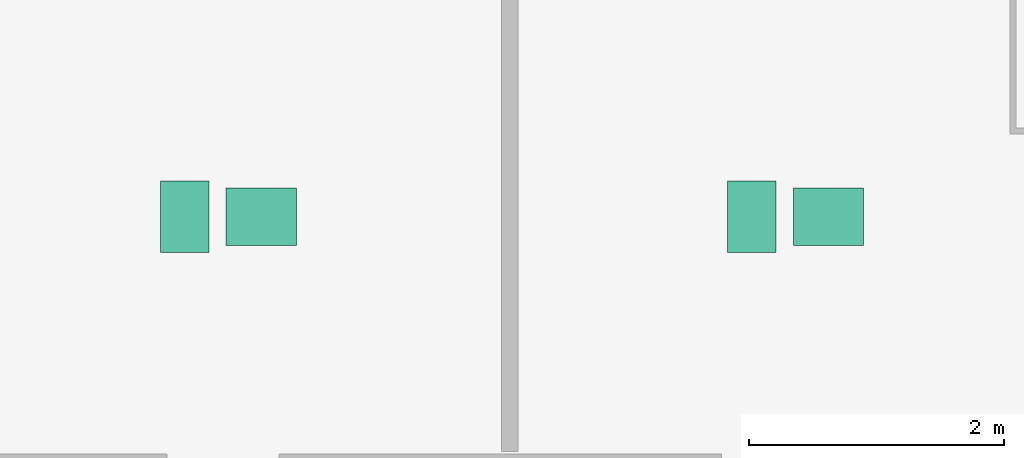
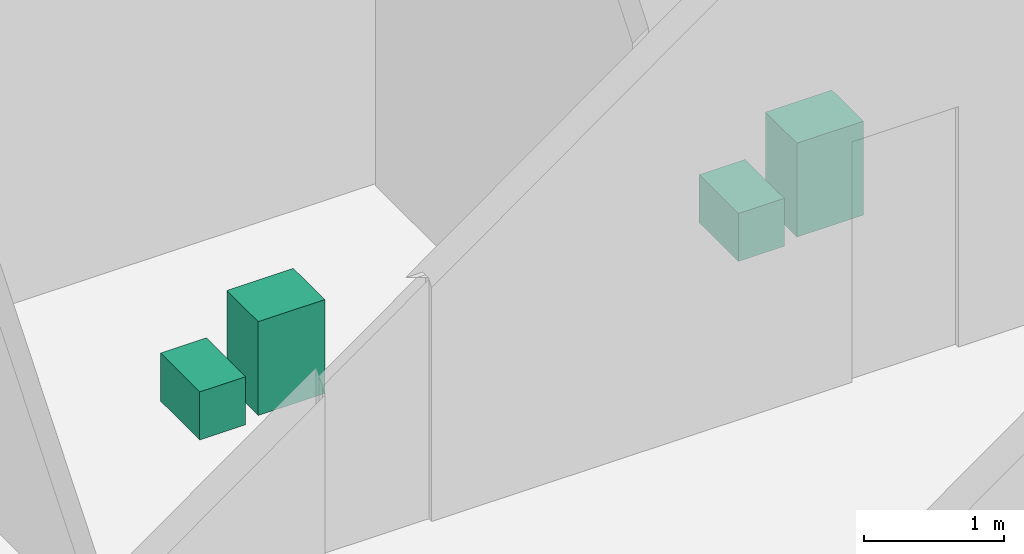
# One storey, part 23 of 23: 4 sanitary terminals.
"""IFC4 building model written with IfcOpenShell, lengths in metres."""

import ifcopenshell
import ifcopenshell.guid

model = None  # the IFC model being written
_history = None  # IfcOwnerHistory: only IFC2X3 demands one
_inside = {}  # id of a spatial element -> (the spatial element, [elements in it])
_under = {}  # id of a project, library or spatial element -> (it, [spatial elements below it])
_declared = {}  # id of a project -> (the project, [libraries it declares])
_typed = {}  # id of a type object -> (the type object, [elements of that type])
_made_of = {}  # id of a material, layer set ... -> (it, [elements and type objects made of it])


def new_model(schema):
    """Start an empty IFC model of exactly this schema.

    Asked for "IFC4X3", IfcOpenShell would pick the latest addendum, in which some entities
    have other attributes; the version numbers below select the first issue.
    IFC2X3 requires an IfcOwnerHistory on every rooted entity: one is made here for all.
    """
    global model, _history
    if schema == "IFC4X3":
        model = ifcopenshell.file(schema_version=(4, 3, 0, 0))
    else:
        model = ifcopenshell.file(schema=schema)
    _inside.clear()
    _under.clear()
    _declared.clear()
    _typed.clear()
    _made_of.clear()
    _history = None
    if model.schema == "IFC2X3":
        org = make("IfcOrganization", Name="unknown")
        user = make(
            "IfcPersonAndOrganization",
            ThePerson=make("IfcPerson", FamilyName="unknown"),
            TheOrganization=org,
        )
        app = make(
            "IfcApplication",
            ApplicationDeveloper=org,
            Version="unknown",
            ApplicationFullName="unknown",
            ApplicationIdentifier="unknown",
        )
        _history = make(
            "IfcOwnerHistory",
            OwningUser=user,
            OwningApplication=app,
            ChangeAction="ADDED",
            CreationDate=0,
        )
    return model


def make(cls, **values):
    """One entity of the class cls with the attributes given. An attribute that is None is left unset."""
    return model.create_entity(
        cls, **{name: value for name, value in values.items() if value is not None}
    )


def rooted(cls, **values):
    """An entity with a GlobalId (a new one), such as an element, a storey or a relation."""
    return make(cls, GlobalId=ifcopenshell.guid.new(), OwnerHistory=_history, **values)


def si_unit(unit_type, name, prefix=None):
    """IfcSIUnit, for example si_unit("LENGTHUNIT", "METRE", prefix="MILLI")."""
    return make("IfcSIUnit", UnitType=unit_type, Prefix=prefix, Name=name)


def assignment(units):
    """IfcUnitAssignment: the units of a project."""
    return None if units is None else make("IfcUnitAssignment", Units=units)


def point(xyz):
    """IfcCartesianPoint."""
    return None if xyz is None else make("IfcCartesianPoint", Coordinates=xyz)


def direction(xyz):
    """IfcDirection."""
    return None if xyz is None else make("IfcDirection", DirectionRatios=xyz)


def frame(location, z_axis=None, x_axis=None):
    """IfcAxis2Placement3D, a coordinate frame: its origin and axes. An axis left out is left unset."""
    return make(
        "IfcAxis2Placement3D",
        Location=point(location),
        Axis=direction(z_axis),
        RefDirection=direction(x_axis),
    )


def frame_2d(location, x_axis=None):
    """IfcAxis2Placement2D, a coordinate frame in the plane: its origin and x axis."""
    return make(
        "IfcAxis2Placement2D", Location=point(location), RefDirection=direction(x_axis)
    )


def origin():
    """The frame at (0, 0, 0) with its axes left unset."""
    return frame((0.0, 0.0, 0.0))


def origin_2d():
    """The frame at (0, 0) in the plane with its x axis left unset."""
    return frame_2d((0.0, 0.0))


def place(relative_to, where):
    """IfcLocalPlacement: puts the frame where relative to a parent placement (None: the world)."""
    return make(
        "IfcLocalPlacement", PlacementRelTo=relative_to, RelativePlacement=where
    )


def context(
    kind, dimensions, precision=None, world=None, true_north=None, identifier=None
):
    """IfcGeometricRepresentationContext, for example the 3D "Model" context."""
    return make(
        "IfcGeometricRepresentationContext",
        ContextIdentifier=identifier,
        ContextType=kind,
        CoordinateSpaceDimension=dimensions,
        Precision=precision,
        WorldCoordinateSystem=world,
        TrueNorth=true_north,
    )


def subcontext(parent, identifier, kind, view, scale=None):
    """IfcGeometricRepresentationSubContext, for example "Body" below "Model"."""
    return make(
        "IfcGeometricRepresentationSubContext",
        ContextIdentifier=identifier,
        ContextType=kind,
        ParentContext=parent,
        TargetScale=scale,
        TargetView=view,
    )


def project(units=None, contexts=None):
    """IfcProject with its units and contexts."""
    return rooted(
        "IfcProject",
        Name="project",
        RepresentationContexts=contexts,
        UnitsInContext=assignment(units),
    )


def spatial(cls, under=None, at=None, **own):
    """A site, building, storey or space (cls), placed at a placement, below another one or the project."""
    s = rooted(cls, ObjectPlacement=at, **own)
    if under is not None:
        _under.setdefault(under.id(), (under, []))[1].append(s)
    return s


def profile(cls, at=None, kind="AREA", **sizes):
    """A parametric profile (cls). Its sizes go by their IFC names, for example OverallWidth=200.0."""
    return make(cls, ProfileType=kind, Position=at, **sizes)


def rectangle(**sizes):
    """IfcRectangleProfileDef."""
    return profile("IfcRectangleProfileDef", **sizes)


def extrude(swept, where, along, depth):
    """IfcExtrudedAreaSolid: the profile swept, set in the frame where, extruded along a direction by depth."""
    return make(
        "IfcExtrudedAreaSolid",
        SweptArea=swept,
        Position=where,
        ExtrudedDirection=direction(along),
        Depth=depth,
    )


def shape(context_of_items, identifier, shape_type, items):
    """IfcShapeRepresentation: the items that make up one representation, for example the "Body"."""
    return make(
        "IfcShapeRepresentation",
        ContextOfItems=context_of_items,
        RepresentationIdentifier=identifier,
        RepresentationType=shape_type,
        Items=items,
    )


def source(mapping_origin, context_of_items, identifier, shape_type, items):
    """IfcRepresentationMap: a shape defined once, which mapped items show again and again."""
    return make(
        "IfcRepresentationMap",
        MappingOrigin=mapping_origin,
        MappedRepresentation=shape(context_of_items, identifier, shape_type, items),
    )


def transform(
    local_origin,
    x_axis=None,
    y_axis=None,
    z_axis=None,
    scale=None,
    scale2=None,
    scale3=None,
    uniform=True,
):
    """IfcCartesianTransformationOperator3D, or its non-uniform kind. x_axis, y_axis, z_axis: its Axis1, 2, 3."""
    if uniform:
        return make(
            "IfcCartesianTransformationOperator3D",
            Axis1=direction(x_axis),
            Axis2=direction(y_axis),
            LocalOrigin=point(local_origin),
            Scale=scale,
            Axis3=direction(z_axis),
        )
    return make(
        "IfcCartesianTransformationOperator3DnonUniform",
        Axis1=direction(x_axis),
        Axis2=direction(y_axis),
        LocalOrigin=point(local_origin),
        Scale=scale,
        Axis3=direction(z_axis),
        Scale2=scale2,
        Scale3=scale3,
    )


def mapped(mapping_source, mapping_target):
    """IfcMappedItem: shows the shape of a source again, moved by a transform."""
    return make(
        "IfcMappedItem", MappingSource=mapping_source, MappingTarget=mapping_target
    )


def material(Name=None, Category=None):
    """IfcMaterial."""
    return make("IfcMaterial", Name=Name, Category=Category)


def made_of(thing, what):
    """Note that an element or type object is made of a material, layer set ...; save() writes the relation."""
    if what is not None:
        _made_of.setdefault(what.id(), (what, []))[1].append(thing)
    return thing


def type_object(cls, material=None, **own):
    """A type object (cls), such as IfcWallType, which elements share."""
    return made_of(rooted(cls, **own), material)


def type_shapes(of_type, sources):
    """Give a type object the sources (RepresentationMaps) that its elements show as mapped items."""
    of_type.RepresentationMaps = sources


def element(
    cls,
    number,
    at=None,
    inside=None,
    cuts=None,
    type_object=None,
    material=None,
    context=None,
    identifier="Body",
    shape_type=None,
    held_by="IfcProductDefinitionShape",
    body=None,
    shapes=None,
    **own,
):
    """One element of the class cls, such as IfcWall. Its Tag is "e" and its number.

    at: its placement. inside: the storey or other place that contains it. cuts: it is an
    opening in that element (IfcRelVoidsElement). A single representation is given by context,
    identifier, shape_type and body (its items); several are given by shapes. held_by: the class
    of the entity that holds the representations. save() writes the other relations.
    """
    e = rooted(cls, Tag="e%d" % number, ObjectPlacement=at, **own)
    if body is not None:
        shapes = [shape(context, identifier, shape_type, body)]
    if shapes is not None:
        e.Representation = make(held_by, Representations=shapes)
    if inside is not None:
        _inside.setdefault(inside.id(), (inside, []))[1].append(e)
    if cuts is not None:
        rooted(
            "IfcRelVoidsElement", RelatingBuildingElement=cuts, RelatedOpeningElement=e
        )
    if type_object is not None:
        _typed.setdefault(type_object.id(), (type_object, []))[1].append(e)
    return made_of(e, material)


def aggregate(whole, parts):
    """IfcRelAggregates: a whole, such as a stair, and the parts it consists of."""
    return rooted("IfcRelAggregates", RelatingObject=whole, RelatedObjects=parts)


def save(model, path):
    """Write the relations noted so far, then the file.

    IfcRelAggregates (storeys below a building ...), IfcRelContainedInSpatialStructure (elements
    in a storey), IfcRelDefinesByType, IfcRelAssociatesMaterial and IfcRelDeclares: one each for
    every whole, place, type object, material and project.
    """
    for whole, parts in _under.values():
        aggregate(whole, parts)
    for where, things in _inside.values():
        rooted(
            "IfcRelContainedInSpatialStructure",
            RelatedElements=things,
            RelatingStructure=where,
        )
    for kind, things in _typed.values():
        rooted("IfcRelDefinesByType", RelatedObjects=things, RelatingType=kind)
    for what, things in _made_of.values():
        rooted("IfcRelAssociatesMaterial", RelatedObjects=things, RelatingMaterial=what)
    for by, libraries in _declared.values():
        rooted("IfcRelDeclares", RelatingContext=by, RelatedDefinitions=libraries)
    model.write(path)


model = new_model("IFC4")

# Units and contexts
model_context = context("Model", 3, precision=1e-05, world=origin(), true_north=direction((0.0, 1.0)))
body_context = subcontext(model_context, "Body", "Model", "MODEL_VIEW")
ifc_project = project(units=[si_unit("LENGTHUNIT", "METRE"), si_unit("AREAUNIT", "SQUARE_METRE"), si_unit("VOLUMEUNIT", "CUBIC_METRE"), si_unit("PLANEANGLEUNIT", "RADIAN"), si_unit("MASSUNIT", "GRAM", prefix="KILO")], contexts=[model_context])

# Site, building, storey
site_placement = place(None, origin())
site = spatial("IfcSite", under=ifc_project, at=site_placement, CompositionType="ELEMENT")
building_placement = place(site_placement, origin())
building = spatial("IfcBuilding", under=site, at=building_placement, Name="Seokmaru Belvedere", CompositionType="ELEMENT")
storey_placement = place(building_placement, frame((0.0, 0.0, 14.39990234375)))
storey = spatial("IfcBuildingStorey", under=building, at=storey_placement, Name="L03", CompositionType="ELEMENT", Elevation=14.39990234375)

# Sanitary terminals
ifc_material = material(Name="Vitreous China Sanitaryware")
sanitary_terminal_type_1 = type_object("IfcSanitaryTerminalType", Name="Wall-Hung Vitreous China WC Pan", PredefinedType="TOILETPAN", material=ifc_material)
shared_shape_1 = source(origin(), body_context, "Body", "SweptSolid", [
    extrude(rectangle(XDim=0.3798828125, YDim=0.56005859375, at=origin_2d()), origin(), (0.0, 0.0, 1.0), 0.419921875),
])
type_shapes(sanitary_terminal_type_1, [shared_shape_1])
for number, where, z_axis, x_axis, name in (
    (1, (20.449951171875, 3.27490234375, 0.000244140625), (0.0, 0.0, 1.0), (1.0, 0.0, 0.0), "L03 Vitreous China WC 0010"),
    (2, (24.89990234375, 3.27490234375, 0.000244140625), (0.0, 0.0, 1.0), (1.0, 0.0, 0.0), "L03 Vitreous China WC 0011"),
):
    element("IfcSanitaryTerminal", number, at=place(storey_placement, frame(where, z_axis=z_axis, x_axis=x_axis)), inside=storey, type_object=sanitary_terminal_type_1, Name=name, PredefinedType="TOILETPAN", context=body_context, shape_type="MappedRepresentation", body=[
        mapped(shared_shape_1, transform((0.0, 0.0, 0.0), scale=1.0)),
    ])
sanitary_terminal_type_2 = type_object("IfcSanitaryTerminalType", Name="Countertop Ceramic Washhand Basin", PredefinedType="WASHHANDBASIN", material=ifc_material)
shared_shape_2 = source(origin(), body_context, "Body", "SweptSolid", [
    extrude(rectangle(XDim=0.550048828125, YDim=0.449951171875, at=origin_2d()), origin(), (0.0, 0.0, 1.0), 0.820068359375),
])
type_shapes(sanitary_terminal_type_2, [shared_shape_2])
for number, where, z_axis, x_axis, name in (
    (3, (21.050048828125, 3.27490234375, 0.0), (0.0, 0.0, 1.0), (1.0, 0.0, 0.0), "L03 Ceramic Washhand Basin 0010"),
    (4, (25.5, 3.27490234375, 0.0), (0.0, 0.0, 1.0), (1.0, 0.0, 0.0), "L03 Ceramic Washhand Basin 0011"),
):
    element("IfcSanitaryTerminal", number, at=place(storey_placement, frame(where, z_axis=z_axis, x_axis=x_axis)), inside=storey, type_object=sanitary_terminal_type_2, Name=name, PredefinedType="WASHHANDBASIN", context=body_context, shape_type="MappedRepresentation", body=[
        mapped(shared_shape_2, transform((0.0, 0.0, 0.0), scale=1.0)),
    ])

save(model, "model.ifc")
